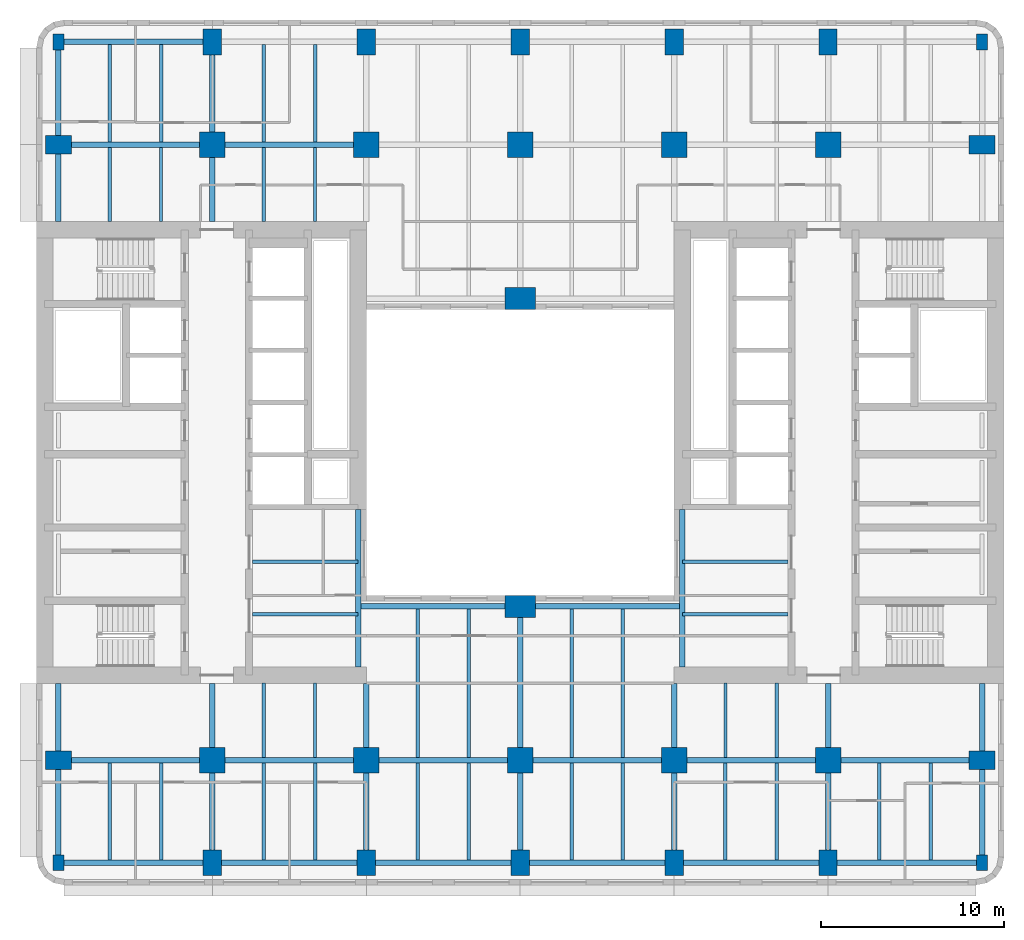
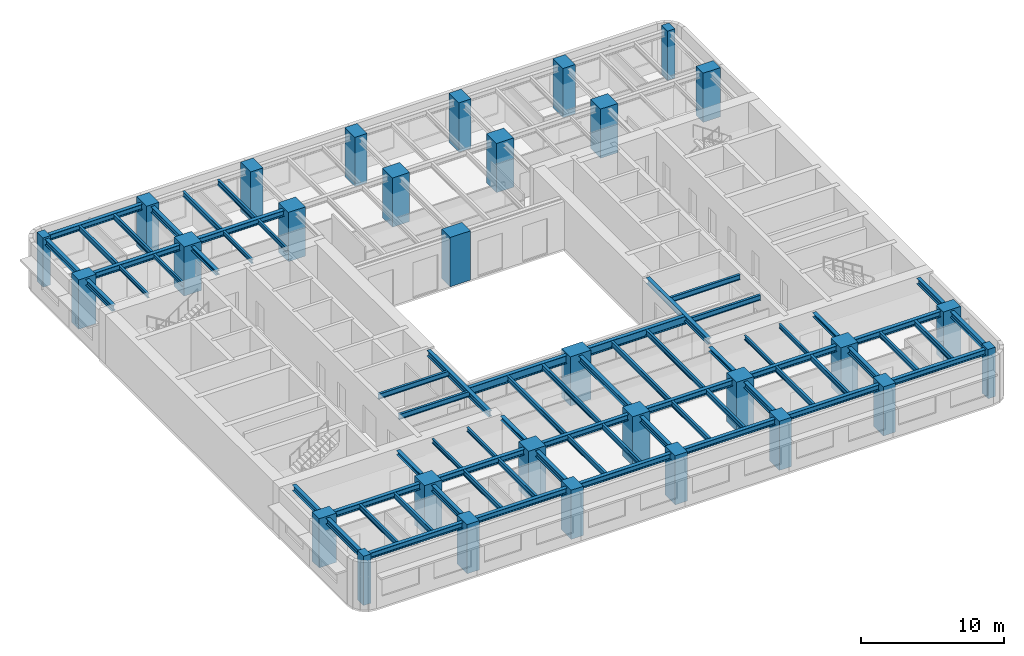
# One storey, part 1 of 11: 69 beams, 30 columns.
"""IFC4 building model written with IfcOpenShell, lengths in metres."""

from ifc_helpers import new_model, si_unit, direction, frame, origin, origin_2d, place, context, subcontext, project, spatial, rectangle, i_section, extrude, material, material_profile, profile_set, type_object, element, save


model = new_model("IFC4")

# Units and contexts
model_context = context("Model", 3, precision=1e-05, world=origin(), true_north=direction((0.0, 1.0)))
body_context = subcontext(model_context, "Body", "Model", "MODEL_VIEW")
ifc_project = project(units=[si_unit("LENGTHUNIT", "METRE"), si_unit("AREAUNIT", "SQUARE_METRE"), si_unit("VOLUMEUNIT", "CUBIC_METRE"), si_unit("PLANEANGLEUNIT", "RADIAN"), si_unit("MASSUNIT", "GRAM", prefix="KILO")], contexts=[model_context])

# Site, building, storey
site_placement = place(None, origin())
site = spatial("IfcSite", under=ifc_project, at=site_placement, CompositionType="ELEMENT")
building_placement = place(site_placement, origin())
building = spatial("IfcBuilding", under=site, at=building_placement, Name="Claustro Exchange Tower", CompositionType="ELEMENT")
storey_placement = place(building_placement, frame((0.0, 0.0, 109.199951171875)))
storey = spatial("IfcBuildingStorey", under=building, at=storey_placement, Name="L24", CompositionType="ELEMENT", Elevation=109.199951171875)

# Columns
ifc_material_1 = material(Name="Concrete HA-70 (C70/85)", Category="concrete")
ifc_material_profile_1 = material_profile(ifc_material_1, rectangle(XDim=1.39990234375, YDim=1.39990234375, at=origin_2d()), Name="RC 1400x1400")
ifc_profile_set_1 = profile_set([ifc_material_profile_1], Name="Concrete HA-70 (C70/85)")
column_type_1 = type_object("IfcColumnType", Name="C0 RC 1400x1400 HA-70 column", PredefinedType="COLUMN", material=ifc_profile_set_1)
for number, where, z_axis, x_axis, name in (
    (1, (8.39990234375, 8.39990234375, 0.0), (0.0, 0.0, 1.0), (1.0, 0.0, 0.0), "Column C0 2/B L24"),
    (2, (8.39990234375, 42.0, 0.0), (0.0, 0.0, 1.0), (1.0, 0.0, 0.0), "Column C0 2/F L24"),
    (3, (16.800048828125, 8.39990234375, 0.0), (0.0, 0.0, 1.0), (1.0, 0.0, 0.0), "Column C0 3/B L24"),
    (4, (16.800048828125, 42.0, 0.0), (0.0, 0.0, 1.0), (1.0, 0.0, 0.0), "Column C0 3/F L24"),
    (5, (25.199951171875, 8.39990234375, 0.0), (0.0, 0.0, 1.0), (1.0, 0.0, 0.0), "Column C0 4/B L24"),
    (6, (25.199951171875, 42.0, 0.0), (0.0, 0.0, 1.0), (1.0, 0.0, 0.0), "Column C0 4/F L24"),
    (7, (33.60009765625, 8.39990234375, 0.0), (0.0, 0.0, 1.0), (1.0, 0.0, 0.0), "Column C0 5/B L24"),
    (8, (33.60009765625, 42.0, 0.0), (0.0, 0.0, 1.0), (1.0, 0.0, 0.0), "Column C0 5/F L24"),
    (9, (42.0, 8.39990234375, 0.0), (0.0, 0.0, 1.0), (1.0, 0.0, 0.0), "Column C0 6/B L24"),
    (10, (42.0, 42.0, 0.0), (0.0, 0.0, 1.0), (1.0, 0.0, 0.0), "Column C0 6/F L24"),
):
    element("IfcColumn", number, at=place(storey_placement, frame(where, z_axis=z_axis, x_axis=x_axis)), inside=storey, type_object=column_type_1, Name=name, PredefinedType="COLUMN", context=body_context, shape_type="SweptSolid", body=[
        extrude(rectangle(XDim=1.39990234375, YDim=1.39990234375, at=origin_2d()), origin(), (0.0, 0.0, 1.0), 4.199951171875),
    ])
ifc_material_2 = material(Name="Concrete HA-70 (C70/85)", Category="concrete")
ifc_material_profile_2 = material_profile(ifc_material_2, rectangle(XDim=1.0, YDim=1.39990234375, at=origin_2d()), Name="RC 1000x1400")
ifc_profile_set_2 = profile_set([ifc_material_profile_2], Name="Concrete HA-70 (C70/85)")
column_type_2 = type_object("IfcColumnType", Name="C22 RC 1000x1400 HA-70 perimeter column", PredefinedType="COLUMN", material=ifc_profile_set_2)
for number, where, z_axis, x_axis, name in (
    (11, (0.0, 8.39990234375, 0.0), (0.0, 0.0, 1.0), (0.0, 1.0, 0.0), "Column C22 1/B L24"),
    (12, (0.0, 42.0, 0.0), (0.0, 0.0, 1.0), (0.0, 1.0, 0.0), "Column C22 1/F L24"),
    (13, (8.39990234375, 2.800048828125, 0.0), (0.0, 0.0, 1.0), (1.0, 0.0, 0.0), "Column C22 2/A+2800 L24"),
    (14, (8.39990234375, 47.60009765625, 0.0), (0.0, 0.0, 1.0), (1.0, 0.0, 0.0), "Column C22 2/F+5600 L24"),
    (15, (16.800048828125, 2.800048828125, 0.0), (0.0, 0.0, 1.0), (1.0, 0.0, 0.0), "Column C22 3/A+2800 L24"),
    (16, (16.800048828125, 47.60009765625, 0.0), (0.0, 0.0, 1.0), (1.0, 0.0, 0.0), "Column C22 3/F+5600 L24"),
    (17, (25.199951171875, 2.800048828125, 0.0), (0.0, 0.0, 1.0), (1.0, 0.0, 0.0), "Column C22 4/A+2800 L24"),
    (18, (25.199951171875, 47.60009765625, 0.0), (0.0, 0.0, 1.0), (1.0, 0.0, 0.0), "Column C22 4/F+5600 L24"),
    (19, (33.60009765625, 2.800048828125, 0.0), (0.0, 0.0, 1.0), (1.0, 0.0, 0.0), "Column C22 5/A+2800 L24"),
    (20, (33.60009765625, 47.60009765625, 0.0), (0.0, 0.0, 1.0), (1.0, 0.0, 0.0), "Column C22 5/F+5600 L24"),
    (21, (42.0, 2.800048828125, 0.0), (0.0, 0.0, 1.0), (1.0, 0.0, 0.0), "Column C22 6/A+2800 L24"),
    (22, (42.0, 47.60009765625, 0.0), (0.0, 0.0, 1.0), (1.0, 0.0, 0.0), "Column C22 6/F+5600 L24"),
    (23, (50.39990234375, 8.39990234375, 0.0), (0.0, 0.0, 1.0), (0.0, 1.0, 0.0), "Column C22 7/B L24"),
    (24, (50.39990234375, 42.0, 0.0), (0.0, 0.0, 1.0), (0.0, 1.0, 0.0), "Column C22 7/F L24"),
):
    element("IfcColumn", number, at=place(storey_placement, frame(where, z_axis=z_axis, x_axis=x_axis)), inside=storey, type_object=column_type_2, Name=name, PredefinedType="COLUMN", context=body_context, shape_type="SweptSolid", body=[
        extrude(rectangle(XDim=1.0, YDim=1.39990234375, at=origin_2d()), origin(), (0.0, 0.0, 1.0), 4.199951171875),
    ])
ifc_material_3 = material(Name="Concrete HA-50 (C50/60)", Category="concrete")
ifc_material_profile_3 = material_profile(ifc_material_3, rectangle(XDim=0.60009765625, YDim=0.85009765625, at=origin_2d()), Name="RC 600x850")
ifc_profile_set_3 = profile_set([ifc_material_profile_3], Name="Concrete HA-50 (C50/60)")
column_type_3 = type_object("IfcColumnType", Name="C25 RC 600x850 HA-50 corner column", PredefinedType="COLUMN", material=ifc_profile_set_3)
for number, where, z_axis, x_axis, name in (
    (25, (0.0, 2.800048828125, 0.0), (0.0, 0.0, 1.0), (1.0, 0.0, 0.0), "Column C25 1/A+2800 L24"),
    (26, (0.0, 47.60009765625, 0.0), (0.0, 0.0, 1.0), (1.0, 0.0, 0.0), "Column C25 1/F+5600 L24"),
    (27, (50.39990234375, 2.800048828125, 0.0), (0.0, 0.0, 1.0), (1.0, 0.0, 0.0), "Column C25 7/A+2800 L24"),
    (28, (50.39990234375, 47.60009765625, 0.0), (0.0, 0.0, 1.0), (1.0, 0.0, 0.0), "Column C25 7/F+5600 L24"),
):
    element("IfcColumn", number, at=place(storey_placement, frame(where, z_axis=z_axis, x_axis=x_axis)), inside=storey, type_object=column_type_3, Name=name, PredefinedType="COLUMN", context=body_context, shape_type="SweptSolid", body=[
        extrude(rectangle(XDim=0.60009765625, YDim=0.85009765625, at=origin_2d()), origin(), (0.0, 0.0, 1.0), 4.199951171875),
    ])
ifc_material_4 = material(Name="Concrete HA-70 (C70/85)", Category="concrete")
ifc_material_profile_4 = material_profile(ifc_material_4, rectangle(XDim=1.64990234375, YDim=1.199951171875, at=origin_2d()), Name="RC 1650x1200")
ifc_profile_set_4 = profile_set([ifc_material_profile_4], Name="Concrete HA-70 (C70/85)")
column_type_4 = type_object("IfcColumnType", Name="C32 RC 1650x1200 HA-70 light well column", PredefinedType="COLUMN", material=ifc_profile_set_4)
for number, where, z_axis, x_axis, name in (
    (29, (25.199951171875, 16.800048828125, 0.0), (0.0, 0.0, 1.0), (1.0, 0.0, 0.0), "Column C32 4/C L24"),
    (30, (25.199951171875, 33.60009765625, 0.0), (0.0, 0.0, 1.0), (1.0, 0.0, 0.0), "Column C32 4/E L24"),
):
    element("IfcColumn", number, at=place(storey_placement, frame(where, z_axis=z_axis, x_axis=x_axis)), inside=storey, type_object=column_type_4, Name=name, PredefinedType="COLUMN", context=body_context, shape_type="SweptSolid", body=[
        extrude(rectangle(XDim=1.64990234375, YDim=1.199951171875, at=origin_2d()), origin(), (0.0, 0.0, 1.0), 4.199951171875),
    ])

# Beams
ifc_material_5 = material(Name="Steel S355", Category="steel")
ifc_material_profile_5 = material_profile(ifc_material_5, i_section(OverallWidth=0.300048828125, OverallDepth=0.68994140625, WebThickness=0.014404296875, FlangeThickness=0.027099609375, FilletRadius=0.027099609375, at=origin_2d()), Name="HE 700 A")
ifc_profile_set_5 = profile_set([ifc_material_profile_5], Name="Steel S355")
beam_type_1 = type_object("IfcBeamType", Name="B13 HE 700 A light well edge girder", PredefinedType="BEAM", material=ifc_profile_set_5)
beam_1_placement = place(storey_placement, frame((16.35009765625, 16.800048828125, 3.705078125), z_axis=(1.0, 0.0, 0.0), x_axis=(0.0, 1.0, 0.0)))
element("IfcBeam", 31, at=beam_1_placement, inside=storey, type_object=beam_type_1, Name="Beam B13 L25", PredefinedType="BEAM", context=body_context, shape_type="SweptSolid", body=[
    extrude(i_section(OverallWidth=0.300048828125, OverallDepth=0.68994140625, WebThickness=0.014404296875, FlangeThickness=0.027099609375, FilletRadius=0.027099609375, at=origin_2d()), origin(), (0.0, 0.0, 1.0), 8.849853515625),
])
beam_2_placement = place(storey_placement, frame((25.199951171875, 16.800048828125, 3.705078125), z_axis=(1.0, 0.0, 0.0), x_axis=(0.0, 1.0, 0.0)))
element("IfcBeam", 32, at=beam_2_placement, inside=storey, type_object=beam_type_1, Name="Beam B13 L25", PredefinedType="BEAM", context=body_context, shape_type="SweptSolid", body=[
    extrude(i_section(OverallWidth=0.300048828125, OverallDepth=0.68994140625, WebThickness=0.014404296875, FlangeThickness=0.027099609375, FilletRadius=0.027099609375, at=origin_2d()), origin(), (0.0, 0.0, 1.0), 8.85009765625),
])
ifc_material_6 = material(Name="Steel S355", Category="steel")
ifc_material_profile_6 = material_profile(ifc_material_6, i_section(OverallWidth=0.169921875, OverallDepth=0.360107421875, WebThickness=0.008056640625, FlangeThickness=0.0126953125, FilletRadius=0.01806640625, at=origin_2d()), Name="IPE 360")
ifc_profile_set_6 = profile_set([ifc_material_profile_6], Name="Steel S355")
beam_type_2 = type_object("IfcBeamType", Name="B16 IPE 360 short-span beam", PredefinedType="BEAM", material=ifc_profile_set_6)
for number, where, z_axis, x_axis, name in (
    (33, (2.800048828125, 37.7900390625, 3.8701171875), (0.0, 1.0, 0.0), (-1.0, 0.0, 0.0), "Beam B16 L25"),
    (34, (5.60009765625, 37.7900390625, 3.8701171875), (0.0, 1.0, 0.0), (-1.0, 0.0, 0.0), "Beam B16 L25"),
    (35, (11.199951171875, 8.550048828125, 3.8701171875), (0.0, 1.0, 0.0), (-1.0, 0.0, 0.0), "Beam B16 L25"),
    (36, (14.0, 8.550048828125, 3.8701171875), (0.0, 1.0, 0.0), (-1.0, 0.0, 0.0), "Beam B16 L25"),
    (37, (11.199951171875, 37.7900390625, 3.8701171875), (0.0, 1.0, 0.0), (-1.0, 0.0, 0.0), "Beam B16 L25"),
    (38, (14.0, 37.7900390625, 3.8701171875), (0.0, 1.0, 0.0), (-1.0, 0.0, 0.0), "Beam B16 L25"),
    (39, (36.39990234375, 8.550048828125, 3.8701171875), (0.0, 1.0, 0.0), (-1.0, 0.0, 0.0), "Beam B16 L25"),
    (40, (39.199951171875, 8.550048828125, 3.8701171875), (0.0, 1.0, 0.0), (-1.0, 0.0, 0.0), "Beam B16 L25"),
):
    element("IfcBeam", number, at=place(storey_placement, frame(where, z_axis=z_axis, x_axis=x_axis)), inside=storey, type_object=beam_type_2, Name=name, PredefinedType="BEAM", context=body_context, shape_type="SweptSolid", body=[
        extrude(i_section(OverallWidth=0.169921875, OverallDepth=0.360107421875, WebThickness=0.008056640625, FlangeThickness=0.0126953125, FilletRadius=0.01806640625, at=origin_2d()), origin(), (0.0, 0.0, 1.0), 4.06005859375),
    ])
ifc_material_7 = material(Name="Steel S355", Category="steel")
ifc_material_profile_7 = material_profile(ifc_material_7, i_section(OverallWidth=0.300048828125, OverallDepth=0.360107421875, WebThickness=0.012451171875, FlangeThickness=0.0224609375, FilletRadius=0.027099609375, at=origin_2d()), Name="HE 360 B")
ifc_profile_set_7 = profile_set([ifc_material_profile_7], Name="Steel S355")
beam_type_3 = type_object("IfcBeamType", Name="B29 HE 360 B column to core link beam", PredefinedType="BEAM", material=ifc_profile_set_7)
beam_3_placement = place(storey_placement, frame((8.39990234375, 8.39990234375, 3.8701171875), z_axis=(0.0, 1.0, 0.0), x_axis=(-1.0, 0.0, 0.0)))
element("IfcBeam", 41, at=beam_3_placement, inside=storey, type_object=beam_type_3, Name="Beam B29 L25", PredefinedType="BEAM", context=body_context, shape_type="SweptSolid", body=[
    extrude(i_section(OverallWidth=0.300048828125, OverallDepth=0.360107421875, WebThickness=0.012451171875, FlangeThickness=0.0224609375, FilletRadius=0.027099609375, at=origin_2d()), origin(), (0.0, 0.0, 1.0), 4.2001953125),
])
beam_4_placement = place(storey_placement, frame((8.39990234375, 37.800048828125, 3.8701171875), z_axis=(0.0, 1.0, 0.0), x_axis=(-1.0, 0.0, 0.0)))
element("IfcBeam", 42, at=beam_4_placement, inside=storey, type_object=beam_type_3, Name="Beam B29 L25", PredefinedType="BEAM", context=body_context, shape_type="SweptSolid", body=[
    extrude(i_section(OverallWidth=0.300048828125, OverallDepth=0.360107421875, WebThickness=0.012451171875, FlangeThickness=0.0224609375, FilletRadius=0.027099609375, at=origin_2d()), origin(), (0.0, 0.0, 1.0), 4.199951171875),
])
for number, where, z_axis, x_axis, name in (
    (43, (16.800048828125, 8.39990234375, 3.8701171875), (0.0, 1.0, 0.0), (-1.0, 0.0, 0.0), "Beam B29 L25"),
    (44, (33.60009765625, 8.39990234375, 3.8701171875), (0.0, 1.0, 0.0), (-1.0, 0.0, 0.0), "Beam B29 L25"),
    (45, (42.0, 8.39990234375, 3.8701171875), (0.0, 1.0, 0.0), (-1.0, 0.0, 0.0), "Beam B29 L25"),
):
    element("IfcBeam", number, at=place(storey_placement, frame(where, z_axis=z_axis, x_axis=x_axis)), inside=storey, type_object=beam_type_3, Name=name, PredefinedType="BEAM", context=body_context, shape_type="SweptSolid", body=[
        extrude(i_section(OverallWidth=0.300048828125, OverallDepth=0.360107421875, WebThickness=0.012451171875, FlangeThickness=0.0224609375, FilletRadius=0.027099609375, at=origin_2d()), origin(), (0.0, 0.0, 1.0), 4.2001953125),
    ])
ifc_material_8 = material(Name="Steel S355", Category="steel")
ifc_material_profile_8 = material_profile(ifc_material_8, i_section(OverallWidth=0.300048828125, OverallDepth=0.5, WebThickness=0.014404296875, FlangeThickness=0.028076171875, FilletRadius=0.027099609375, at=origin_2d()), Name="HE 500 B")
ifc_profile_set_8 = profile_set([ifc_material_profile_8], Name="Steel S355")
beam_type_4 = type_object("IfcBeamType", Name="B7 HE 500 B floor girder", PredefinedType="BEAM", material=ifc_profile_set_8)
beam_5_placement = place(storey_placement, frame((8.39990234375, 2.800048828125, 3.800048828125), z_axis=(0.0, 1.0, 0.0), x_axis=(-1.0, 0.0, 0.0)))
element("IfcBeam", 46, at=beam_5_placement, inside=storey, type_object=beam_type_4, Name="Beam B7 L25", PredefinedType="BEAM", context=body_context, shape_type="SweptSolid", body=[
    extrude(i_section(OverallWidth=0.300048828125, OverallDepth=0.5, WebThickness=0.014404296875, FlangeThickness=0.028076171875, FilletRadius=0.027099609375, at=origin_2d()), origin(), (0.0, 0.0, 1.0), 5.599853515625),
])
beam_6_placement = place(storey_placement, frame((8.39990234375, 42.0, 3.800048828125), z_axis=(0.0, 1.0, 0.0), x_axis=(-1.0, 0.0, 0.0)))
element("IfcBeam", 47, at=beam_6_placement, inside=storey, type_object=beam_type_4, Name="Beam B7 L25", PredefinedType="BEAM", context=body_context, shape_type="SweptSolid", body=[
    extrude(i_section(OverallWidth=0.300048828125, OverallDepth=0.5, WebThickness=0.014404296875, FlangeThickness=0.028076171875, FilletRadius=0.027099609375, at=origin_2d()), origin(), (0.0, 0.0, 1.0), 5.60009765625),
])
for number, where, z_axis, x_axis, name in (
    (48, (16.800048828125, 2.800048828125, 3.800048828125), (0.0, 1.0, 0.0), (-1.0, 0.0, 0.0), "Beam B7 L25"),
    (49, (25.199951171875, 2.800048828125, 3.800048828125), (0.0, 1.0, 0.0), (-1.0, 0.0, 0.0), "Beam B7 L25"),
):
    element("IfcBeam", number, at=place(storey_placement, frame(where, z_axis=z_axis, x_axis=x_axis)), inside=storey, type_object=beam_type_4, Name=name, PredefinedType="BEAM", context=body_context, shape_type="SweptSolid", body=[
        extrude(i_section(OverallWidth=0.300048828125, OverallDepth=0.5, WebThickness=0.014404296875, FlangeThickness=0.028076171875, FilletRadius=0.027099609375, at=origin_2d()), origin(), (0.0, 0.0, 1.0), 5.599853515625),
    ])
beam_7_placement = place(storey_placement, frame((25.199951171875, 8.39990234375, 3.800048828125), z_axis=(0.0, 1.0, 0.0), x_axis=(-1.0, 0.0, 0.0)))
element("IfcBeam", 50, at=beam_7_placement, inside=storey, type_object=beam_type_4, Name="Beam B7 L25", PredefinedType="BEAM", context=body_context, shape_type="SweptSolid", body=[
    extrude(i_section(OverallWidth=0.300048828125, OverallDepth=0.5, WebThickness=0.014404296875, FlangeThickness=0.028076171875, FilletRadius=0.027099609375, at=origin_2d()), origin(), (0.0, 0.0, 1.0), 8.400146484375),
])
for number, where, z_axis, x_axis, name in (
    (51, (33.60009765625, 2.800048828125, 3.800048828125), (0.0, 1.0, 0.0), (-1.0, 0.0, 0.0), "Beam B7 L25"),
    (52, (42.0, 2.800048828125, 3.800048828125), (0.0, 1.0, 0.0), (-1.0, 0.0, 0.0), "Beam B7 L25"),
):
    element("IfcBeam", number, at=place(storey_placement, frame(where, z_axis=z_axis, x_axis=x_axis)), inside=storey, type_object=beam_type_4, Name=name, PredefinedType="BEAM", context=body_context, shape_type="SweptSolid", body=[
        extrude(i_section(OverallWidth=0.300048828125, OverallDepth=0.5, WebThickness=0.014404296875, FlangeThickness=0.028076171875, FilletRadius=0.027099609375, at=origin_2d()), origin(), (0.0, 0.0, 1.0), 5.599853515625),
    ])
beam_8_placement = place(storey_placement, frame((0.0, 8.39990234375, 3.800048828125), z_axis=(1.0, 0.0, 0.0), x_axis=(0.0, 1.0, 0.0)))
element("IfcBeam", 53, at=beam_8_placement, inside=storey, type_object=beam_type_4, Name="Beam B7 L25", PredefinedType="BEAM", context=body_context, shape_type="SweptSolid", body=[
    extrude(i_section(OverallWidth=0.300048828125, OverallDepth=0.5, WebThickness=0.014404296875, FlangeThickness=0.028076171875, FilletRadius=0.027099609375, at=origin_2d()), origin(), (0.0, 0.0, 1.0), 8.39990234375),
])
beam_9_placement = place(storey_placement, frame((8.39990234375, 8.39990234375, 3.800048828125), z_axis=(1.0, 0.0, 0.0), x_axis=(0.0, 1.0, 0.0)))
element("IfcBeam", 54, at=beam_9_placement, inside=storey, type_object=beam_type_4, Name="Beam B7 L25", PredefinedType="BEAM", context=body_context, shape_type="SweptSolid", body=[
    extrude(i_section(OverallWidth=0.300048828125, OverallDepth=0.5, WebThickness=0.014404296875, FlangeThickness=0.028076171875, FilletRadius=0.027099609375, at=origin_2d()), origin(), (0.0, 0.0, 1.0), 8.400146484375),
])
beam_10_placement = place(storey_placement, frame((16.800048828125, 8.39990234375, 3.800048828125), z_axis=(1.0, 0.0, 0.0), x_axis=(0.0, 1.0, 0.0)))
element("IfcBeam", 55, at=beam_10_placement, inside=storey, type_object=beam_type_4, Name="Beam B7 L25", PredefinedType="BEAM", context=body_context, shape_type="SweptSolid", body=[
    extrude(i_section(OverallWidth=0.300048828125, OverallDepth=0.5, WebThickness=0.014404296875, FlangeThickness=0.028076171875, FilletRadius=0.027099609375, at=origin_2d()), origin(), (0.0, 0.0, 1.0), 8.39990234375),
])
beam_11_placement = place(storey_placement, frame((25.199951171875, 8.39990234375, 3.800048828125), z_axis=(1.0, 0.0, 0.0), x_axis=(0.0, 1.0, 0.0)))
element("IfcBeam", 56, at=beam_11_placement, inside=storey, type_object=beam_type_4, Name="Beam B7 L25", PredefinedType="BEAM", context=body_context, shape_type="SweptSolid", body=[
    extrude(i_section(OverallWidth=0.300048828125, OverallDepth=0.5, WebThickness=0.014404296875, FlangeThickness=0.028076171875, FilletRadius=0.027099609375, at=origin_2d()), origin(), (0.0, 0.0, 1.0), 8.400146484375),
])
for number, where, z_axis, x_axis, name in (
    (57, (33.60009765625, 8.39990234375, 3.800048828125), (1.0, 0.0, 0.0), (0.0, 1.0, 0.0), "Beam B7 L25"),
    (58, (42.0, 8.39990234375, 3.800048828125), (1.0, 0.0, 0.0), (0.0, 1.0, 0.0), "Beam B7 L25"),
    (59, (0.0, 42.0, 3.800048828125), (1.0, 0.0, 0.0), (0.0, 1.0, 0.0), "Beam B7 L25"),
):
    element("IfcBeam", number, at=place(storey_placement, frame(where, z_axis=z_axis, x_axis=x_axis)), inside=storey, type_object=beam_type_4, Name=name, PredefinedType="BEAM", context=body_context, shape_type="SweptSolid", body=[
        extrude(i_section(OverallWidth=0.300048828125, OverallDepth=0.5, WebThickness=0.014404296875, FlangeThickness=0.028076171875, FilletRadius=0.027099609375, at=origin_2d()), origin(), (0.0, 0.0, 1.0), 8.39990234375),
    ])
beam_12_placement = place(storey_placement, frame((8.39990234375, 42.0, 3.800048828125), z_axis=(1.0, 0.0, 0.0), x_axis=(0.0, 1.0, 0.0)))
element("IfcBeam", 60, at=beam_12_placement, inside=storey, type_object=beam_type_4, Name="Beam B7 L25", PredefinedType="BEAM", context=body_context, shape_type="SweptSolid", body=[
    extrude(i_section(OverallWidth=0.300048828125, OverallDepth=0.5, WebThickness=0.014404296875, FlangeThickness=0.028076171875, FilletRadius=0.027099609375, at=origin_2d()), origin(), (0.0, 0.0, 1.0), 8.400146484375),
])
for number, where, z_axis, x_axis, name in (
    (61, (16.35009765625, 13.5, 3.800048828125), (0.0, 1.0, 0.0), (-1.0, 0.0, 0.0), "Beam B7 core step framing L25"),
    (62, (34.050048828125, 13.5, 3.800048828125), (0.0, 1.0, 0.0), (-1.0, 0.0, 0.0), "Beam B7 core step framing L25"),
):
    element("IfcBeam", number, at=place(storey_placement, frame(where, z_axis=z_axis, x_axis=x_axis)), inside=storey, type_object=beam_type_4, Name=name, PredefinedType="BEAM", context=body_context, shape_type="SweptSolid", body=[
        extrude(i_section(OverallWidth=0.300048828125, OverallDepth=0.5, WebThickness=0.014404296875, FlangeThickness=0.028076171875, FilletRadius=0.027099609375, at=origin_2d()), origin(), (0.0, 0.0, 1.0), 8.60009765625),
    ])
ifc_material_9 = material(Name="Steel S355", Category="steel")
ifc_material_profile_9 = material_profile(ifc_material_9, i_section(OverallWidth=0.18994140625, OverallDepth=0.449951171875, WebThickness=0.009521484375, FlangeThickness=0.0146484375, FilletRadius=0.02099609375, at=origin_2d()), Name="IPE 450")
ifc_profile_set_9 = profile_set([ifc_material_profile_9], Name="Steel S355")
beam_type_5 = type_object("IfcBeamType", Name="B8 IPE 450 secondary beam", PredefinedType="BEAM", material=ifc_profile_set_9)
for number, where, z_axis, x_axis, name in (
    (63, (2.800048828125, 2.949951171875, 3.824951171875), (0.0, 1.0, 0.0), (-1.0, 0.0, 0.0), "Beam B8 L25"),
    (64, (5.60009765625, 2.949951171875, 3.824951171875), (0.0, 1.0, 0.0), (-1.0, 0.0, 0.0), "Beam B8 L25"),
    (65, (2.800048828125, 42.14990234375, 3.824951171875), (0.0, 1.0, 0.0), (-1.0, 0.0, 0.0), "Beam B8 L25"),
    (66, (5.60009765625, 42.14990234375, 3.824951171875), (0.0, 1.0, 0.0), (-1.0, 0.0, 0.0), "Beam B8 L25"),
    (67, (11.199951171875, 2.949951171875, 3.824951171875), (0.0, 1.0, 0.0), (-1.0, 0.0, 0.0), "Beam B8 L25"),
    (68, (14.0, 2.949951171875, 3.824951171875), (0.0, 1.0, 0.0), (-1.0, 0.0, 0.0), "Beam B8 L25"),
    (69, (11.199951171875, 42.14990234375, 3.824951171875), (0.0, 1.0, 0.0), (-1.0, 0.0, 0.0), "Beam B8 L25"),
    (70, (14.0, 42.14990234375, 3.824951171875), (0.0, 1.0, 0.0), (-1.0, 0.0, 0.0), "Beam B8 L25"),
    (71, (19.60009765625, 2.949951171875, 3.824951171875), (0.0, 1.0, 0.0), (-1.0, 0.0, 0.0), "Beam B8 L25"),
    (72, (22.39990234375, 2.949951171875, 3.824951171875), (0.0, 1.0, 0.0), (-1.0, 0.0, 0.0), "Beam B8 L25"),
):
    element("IfcBeam", number, at=place(storey_placement, frame(where, z_axis=z_axis, x_axis=x_axis)), inside=storey, type_object=beam_type_5, Name=name, PredefinedType="BEAM", context=body_context, shape_type="SweptSolid", body=[
        extrude(i_section(OverallWidth=0.18994140625, OverallDepth=0.449951171875, WebThickness=0.009521484375, FlangeThickness=0.0146484375, FilletRadius=0.02099609375, at=origin_2d()), origin(), (0.0, 0.0, 1.0), 5.300048828125),
    ])
for number, where, z_axis, x_axis, name in (
    (73, (19.60009765625, 8.550048828125, 3.824951171875), (0.0, 1.0, 0.0), (-1.0, 0.0, 0.0), "Beam B8 L25"),
    (74, (22.39990234375, 8.550048828125, 3.824951171875), (0.0, 1.0, 0.0), (-1.0, 0.0, 0.0), "Beam B8 L25"),
):
    element("IfcBeam", number, at=place(storey_placement, frame(where, z_axis=z_axis, x_axis=x_axis)), inside=storey, type_object=beam_type_5, Name=name, PredefinedType="BEAM", context=body_context, shape_type="SweptSolid", body=[
        extrude(i_section(OverallWidth=0.18994140625, OverallDepth=0.449951171875, WebThickness=0.009521484375, FlangeThickness=0.0146484375, FilletRadius=0.02099609375, at=origin_2d()), origin(), (0.0, 0.0, 1.0), 8.099853515625),
    ])
for number, where, z_axis, x_axis, name in (
    (75, (28.0, 2.949951171875, 3.824951171875), (0.0, 1.0, 0.0), (-1.0, 0.0, 0.0), "Beam B8 L25"),
    (76, (30.800048828125, 2.949951171875, 3.824951171875), (0.0, 1.0, 0.0), (-1.0, 0.0, 0.0), "Beam B8 L25"),
):
    element("IfcBeam", number, at=place(storey_placement, frame(where, z_axis=z_axis, x_axis=x_axis)), inside=storey, type_object=beam_type_5, Name=name, PredefinedType="BEAM", context=body_context, shape_type="SweptSolid", body=[
        extrude(i_section(OverallWidth=0.18994140625, OverallDepth=0.449951171875, WebThickness=0.009521484375, FlangeThickness=0.0146484375, FilletRadius=0.02099609375, at=origin_2d()), origin(), (0.0, 0.0, 1.0), 5.300048828125),
    ])
for number, where, z_axis, x_axis, name in (
    (77, (28.0, 8.550048828125, 3.824951171875), (0.0, 1.0, 0.0), (-1.0, 0.0, 0.0), "Beam B8 L25"),
    (78, (30.800048828125, 8.550048828125, 3.824951171875), (0.0, 1.0, 0.0), (-1.0, 0.0, 0.0), "Beam B8 L25"),
):
    element("IfcBeam", number, at=place(storey_placement, frame(where, z_axis=z_axis, x_axis=x_axis)), inside=storey, type_object=beam_type_5, Name=name, PredefinedType="BEAM", context=body_context, shape_type="SweptSolid", body=[
        extrude(i_section(OverallWidth=0.18994140625, OverallDepth=0.449951171875, WebThickness=0.009521484375, FlangeThickness=0.0146484375, FilletRadius=0.02099609375, at=origin_2d()), origin(), (0.0, 0.0, 1.0), 8.099853515625),
    ])
for number, where, z_axis, x_axis, name in (
    (79, (36.39990234375, 2.949951171875, 3.824951171875), (0.0, 1.0, 0.0), (-1.0, 0.0, 0.0), "Beam B8 L25"),
    (80, (39.199951171875, 2.949951171875, 3.824951171875), (0.0, 1.0, 0.0), (-1.0, 0.0, 0.0), "Beam B8 L25"),
    (81, (44.800048828125, 2.949951171875, 3.824951171875), (0.0, 1.0, 0.0), (-1.0, 0.0, 0.0), "Beam B8 L25"),
    (82, (47.60009765625, 2.949951171875, 3.824951171875), (0.0, 1.0, 0.0), (-1.0, 0.0, 0.0), "Beam B8 L25"),
):
    element("IfcBeam", number, at=place(storey_placement, frame(where, z_axis=z_axis, x_axis=x_axis)), inside=storey, type_object=beam_type_5, Name=name, PredefinedType="BEAM", context=body_context, shape_type="SweptSolid", body=[
        extrude(i_section(OverallWidth=0.18994140625, OverallDepth=0.449951171875, WebThickness=0.009521484375, FlangeThickness=0.0146484375, FilletRadius=0.02099609375, at=origin_2d()), origin(), (0.0, 0.0, 1.0), 5.300048828125),
    ])
for number, where, z_axis, x_axis, name in (
    (83, (10.60009765625, 16.36669921875, 3.824951171875), (1.0, 0.0, 0.0), (0.0, 1.0, 0.0), "Beam B8 core step framing L25"),
    (84, (10.60009765625, 19.2333984375, 3.824951171875), (1.0, 0.0, 0.0), (0.0, 1.0, 0.0), "Beam B8 core step framing L25"),
    (85, (34.050048828125, 16.36669921875, 3.824951171875), (1.0, 0.0, 0.0), (0.0, 1.0, 0.0), "Beam B8 core step framing L25"),
    (86, (34.050048828125, 19.2333984375, 3.824951171875), (1.0, 0.0, 0.0), (0.0, 1.0, 0.0), "Beam B8 core step framing L25"),
):
    element("IfcBeam", number, at=place(storey_placement, frame(where, z_axis=z_axis, x_axis=x_axis)), inside=storey, type_object=beam_type_5, Name=name, PredefinedType="BEAM", context=body_context, shape_type="SweptSolid", body=[
        extrude(i_section(OverallWidth=0.18994140625, OverallDepth=0.449951171875, WebThickness=0.009521484375, FlangeThickness=0.0146484375, FilletRadius=0.02099609375, at=origin_2d()), origin(), (0.0, 0.0, 1.0), 5.75),
    ])
ifc_material_10 = material(Name="Steel S355", Category="steel")
ifc_material_profile_10 = material_profile(ifc_material_10, i_section(OverallWidth=0.300048828125, OverallDepth=0.489990234375, WebThickness=0.011962890625, FlangeThickness=0.02294921875, FilletRadius=0.027099609375, at=origin_2d()), Name="HE 500 A")
ifc_profile_set_10 = profile_set([ifc_material_profile_10], Name="Steel S355")
beam_type_6 = type_object("IfcBeamType", Name="B9 HE 500 A spandrel edge girder", PredefinedType="SPANDREL", material=ifc_profile_set_10)
beam_13_placement = place(storey_placement, frame((0.0, 2.800048828125, 3.804931640625), z_axis=(0.0, 1.0, 0.0), x_axis=(-1.0, 0.0, 0.0)))
element("IfcBeam", 87, at=beam_13_placement, inside=storey, type_object=beam_type_6, Name="Beam B9 L25", PredefinedType="SPANDREL", context=body_context, shape_type="SweptSolid", body=[
    extrude(i_section(OverallWidth=0.300048828125, OverallDepth=0.489990234375, WebThickness=0.011962890625, FlangeThickness=0.02294921875, FilletRadius=0.027099609375, at=origin_2d()), origin(), (0.0, 0.0, 1.0), 5.599853515625),
])
beam_14_placement = place(storey_placement, frame((0.0, 8.39990234375, 3.804931640625), z_axis=(0.0, 1.0, 0.0), x_axis=(-1.0, 0.0, 0.0)))
element("IfcBeam", 88, at=beam_14_placement, inside=storey, type_object=beam_type_6, Name="Beam B9 L25", PredefinedType="SPANDREL", context=body_context, shape_type="SweptSolid", body=[
    extrude(i_section(OverallWidth=0.300048828125, OverallDepth=0.489990234375, WebThickness=0.011962890625, FlangeThickness=0.02294921875, FilletRadius=0.027099609375, at=origin_2d()), origin(), (0.0, 0.0, 1.0), 4.2001953125),
])
beam_15_placement = place(storey_placement, frame((0.0, 37.800048828125, 3.804931640625), z_axis=(0.0, 1.0, 0.0), x_axis=(-1.0, 0.0, 0.0)))
element("IfcBeam", 89, at=beam_15_placement, inside=storey, type_object=beam_type_6, Name="Beam B9 L25", PredefinedType="SPANDREL", context=body_context, shape_type="SweptSolid", body=[
    extrude(i_section(OverallWidth=0.300048828125, OverallDepth=0.489990234375, WebThickness=0.011962890625, FlangeThickness=0.02294921875, FilletRadius=0.027099609375, at=origin_2d()), origin(), (0.0, 0.0, 1.0), 4.199951171875),
])
beam_16_placement = place(storey_placement, frame((0.0, 42.0, 3.804931640625), z_axis=(0.0, 1.0, 0.0), x_axis=(-1.0, 0.0, 0.0)))
element("IfcBeam", 90, at=beam_16_placement, inside=storey, type_object=beam_type_6, Name="Beam B9 L25", PredefinedType="SPANDREL", context=body_context, shape_type="SweptSolid", body=[
    extrude(i_section(OverallWidth=0.300048828125, OverallDepth=0.489990234375, WebThickness=0.011962890625, FlangeThickness=0.02294921875, FilletRadius=0.027099609375, at=origin_2d()), origin(), (0.0, 0.0, 1.0), 5.60009765625),
])
beam_17_placement = place(storey_placement, frame((50.39990234375, 2.800048828125, 3.804931640625), z_axis=(0.0, 1.0, 0.0), x_axis=(-1.0, 0.0, 0.0)))
element("IfcBeam", 91, at=beam_17_placement, inside=storey, type_object=beam_type_6, Name="Beam B9 L25", PredefinedType="SPANDREL", context=body_context, shape_type="SweptSolid", body=[
    extrude(i_section(OverallWidth=0.300048828125, OverallDepth=0.489990234375, WebThickness=0.011962890625, FlangeThickness=0.02294921875, FilletRadius=0.027099609375, at=origin_2d()), origin(), (0.0, 0.0, 1.0), 5.599853515625),
])
beam_18_placement = place(storey_placement, frame((50.39990234375, 8.39990234375, 3.804931640625), z_axis=(0.0, 1.0, 0.0), x_axis=(-1.0, 0.0, 0.0)))
element("IfcBeam", 92, at=beam_18_placement, inside=storey, type_object=beam_type_6, Name="Beam B9 L25", PredefinedType="SPANDREL", context=body_context, shape_type="SweptSolid", body=[
    extrude(i_section(OverallWidth=0.300048828125, OverallDepth=0.489990234375, WebThickness=0.011962890625, FlangeThickness=0.02294921875, FilletRadius=0.027099609375, at=origin_2d()), origin(), (0.0, 0.0, 1.0), 4.2001953125),
])
beam_19_placement = place(storey_placement, frame((0.0, 2.800048828125, 3.804931640625), z_axis=(1.0, 0.0, 0.0), x_axis=(0.0, 1.0, 0.0)))
element("IfcBeam", 93, at=beam_19_placement, inside=storey, type_object=beam_type_6, Name="Beam B9 L25", PredefinedType="SPANDREL", context=body_context, shape_type="SweptSolid", body=[
    extrude(i_section(OverallWidth=0.300048828125, OverallDepth=0.489990234375, WebThickness=0.011962890625, FlangeThickness=0.02294921875, FilletRadius=0.027099609375, at=origin_2d()), origin(), (0.0, 0.0, 1.0), 8.39990234375),
])
beam_20_placement = place(storey_placement, frame((8.39990234375, 2.800048828125, 3.804931640625), z_axis=(1.0, 0.0, 0.0), x_axis=(0.0, 1.0, 0.0)))
element("IfcBeam", 94, at=beam_20_placement, inside=storey, type_object=beam_type_6, Name="Beam B9 L25", PredefinedType="SPANDREL", context=body_context, shape_type="SweptSolid", body=[
    extrude(i_section(OverallWidth=0.300048828125, OverallDepth=0.489990234375, WebThickness=0.011962890625, FlangeThickness=0.02294921875, FilletRadius=0.027099609375, at=origin_2d()), origin(), (0.0, 0.0, 1.0), 8.400146484375),
])
beam_21_placement = place(storey_placement, frame((16.800048828125, 2.800048828125, 3.804931640625), z_axis=(1.0, 0.0, 0.0), x_axis=(0.0, 1.0, 0.0)))
element("IfcBeam", 95, at=beam_21_placement, inside=storey, type_object=beam_type_6, Name="Beam B9 L25", PredefinedType="SPANDREL", context=body_context, shape_type="SweptSolid", body=[
    extrude(i_section(OverallWidth=0.300048828125, OverallDepth=0.489990234375, WebThickness=0.011962890625, FlangeThickness=0.02294921875, FilletRadius=0.027099609375, at=origin_2d()), origin(), (0.0, 0.0, 1.0), 8.39990234375),
])
beam_22_placement = place(storey_placement, frame((25.199951171875, 2.800048828125, 3.804931640625), z_axis=(1.0, 0.0, 0.0), x_axis=(0.0, 1.0, 0.0)))
element("IfcBeam", 96, at=beam_22_placement, inside=storey, type_object=beam_type_6, Name="Beam B9 L25", PredefinedType="SPANDREL", context=body_context, shape_type="SweptSolid", body=[
    extrude(i_section(OverallWidth=0.300048828125, OverallDepth=0.489990234375, WebThickness=0.011962890625, FlangeThickness=0.02294921875, FilletRadius=0.027099609375, at=origin_2d()), origin(), (0.0, 0.0, 1.0), 8.400146484375),
])
for number, where, z_axis, x_axis, name in (
    (97, (33.60009765625, 2.800048828125, 3.804931640625), (1.0, 0.0, 0.0), (0.0, 1.0, 0.0), "Beam B9 L25"),
    (98, (42.0, 2.800048828125, 3.804931640625), (1.0, 0.0, 0.0), (0.0, 1.0, 0.0), "Beam B9 L25"),
    (99, (0.0, 47.60009765625, 3.804931640625), (1.0, 0.0, 0.0), (0.0, 1.0, 0.0), "Beam B9 L25"),
):
    element("IfcBeam", number, at=place(storey_placement, frame(where, z_axis=z_axis, x_axis=x_axis)), inside=storey, type_object=beam_type_6, Name=name, PredefinedType="SPANDREL", context=body_context, shape_type="SweptSolid", body=[
        extrude(i_section(OverallWidth=0.300048828125, OverallDepth=0.489990234375, WebThickness=0.011962890625, FlangeThickness=0.02294921875, FilletRadius=0.027099609375, at=origin_2d()), origin(), (0.0, 0.0, 1.0), 8.39990234375),
    ])

save(model, "model.ifc")
